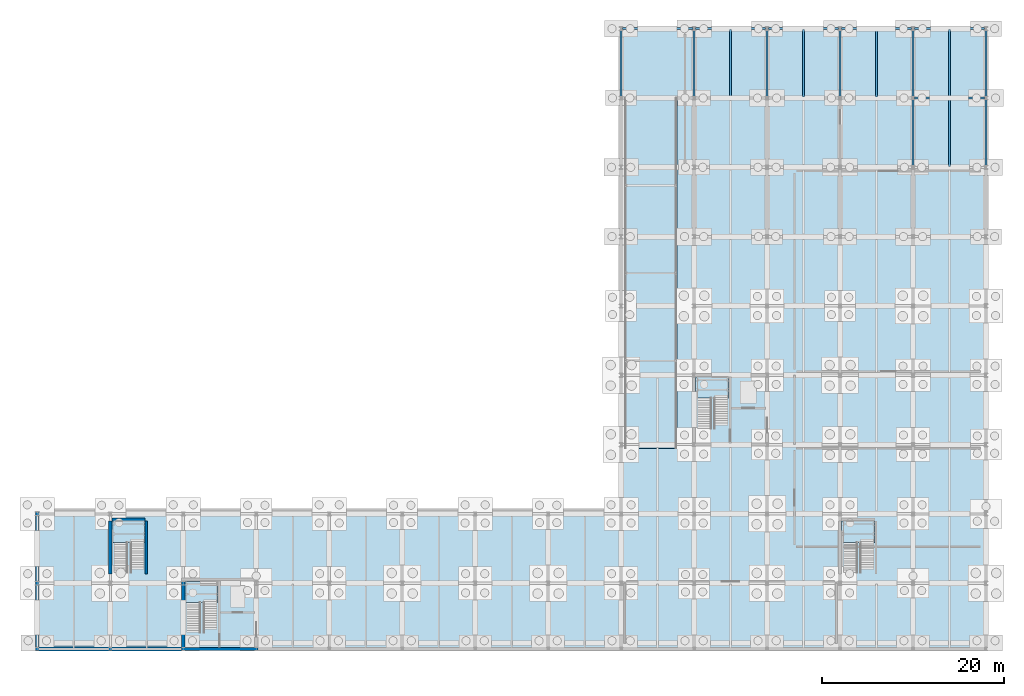
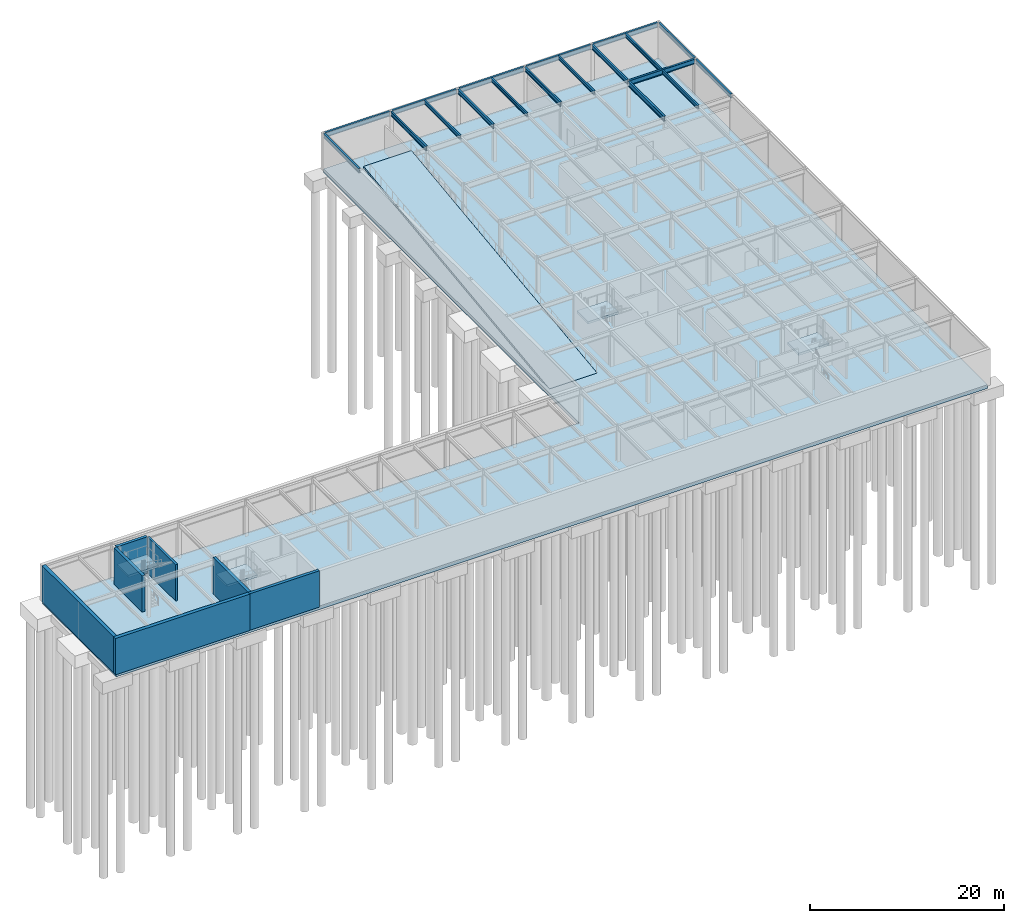
# One storey, part 14 of 21: 19 beams, 7 walls, 6 slabs, 4 elements without a shape of their own.
"""IFC4 building model written with IfcOpenShell, lengths in metres."""

from ifc_helpers import new_model, si_unit, direction, frame, frame_2d, origin, origin_2d, place, context, subcontext, project, spatial, polyline, rectangle, i_section, outline, extrude, material, layer, layer_set, material_profile, profile_set, type_object, element, aggregate, save


model = new_model("IFC4")

# Units and contexts
model_context = context("Model", 3, precision=1e-05, world=origin(), true_north=direction((0.0, 1.0)))
body_context = subcontext(model_context, "Body", "Model", "MODEL_VIEW")
ifc_project = project(units=[si_unit("LENGTHUNIT", "METRE"), si_unit("AREAUNIT", "SQUARE_METRE"), si_unit("VOLUMEUNIT", "CUBIC_METRE"), si_unit("PLANEANGLEUNIT", "RADIAN"), si_unit("MASSUNIT", "GRAM", prefix="KILO")], contexts=[model_context])

# Site, building, storey
site_placement = place(None, origin())
site = spatial("IfcSite", under=ifc_project, at=site_placement, CompositionType="ELEMENT")
building_placement = place(site_placement, origin())
building = spatial("IfcBuilding", under=site, at=building_placement, Name="Zulena Civic Courthouse", CompositionType="ELEMENT")
storey_placement = place(building_placement, frame((0.0, 0.0, -4.800048828125)))
storey = spatial("IfcBuildingStorey", under=building, at=storey_placement, Name="B01", CompositionType="ELEMENT", Elevation=-4.800048828125)

# Beams
ifc_material_1 = material(Name="Steel ASTM A992 Grade 50", Category="steel")
ifc_material_profile_1 = material_profile(ifc_material_1, i_section(OverallWidth=0.22998046875, OverallDepth=0.616943359375, WebThickness=0.01318359375, FlangeThickness=0.022216796875, FilletRadius=0.0126953125, at=origin_2d()), Name="W24X94")
ifc_profile_set_1 = profile_set([ifc_material_profile_1], Name="Steel ASTM A992 Grade 50")
beam_type_1 = type_object("IfcBeamType", Name="Girder_W24X94", PredefinedType="BEAM", material=ifc_profile_set_1)
beam_1_placement = place(storey_placement, frame((100.0, 98.945068359375, 4.271484375), z_axis=(0.0, 1.0, 0.0), x_axis=(-1.0, 0.0, 0.0)))
element("IfcBeam", 1, at=beam_1_placement, inside=storey, type_object=beam_type_1, Name="beam:Y:V5:B01:100.0:98.8_106.4", PredefinedType="BEAM", context=body_context, shape_type="SweptSolid", body=[
    extrude(i_section(OverallWidth=0.22998046875, OverallDepth=0.616943359375, WebThickness=0.01318359375, FlangeThickness=0.022216796875, FilletRadius=0.0126953125, at=origin_2d()), origin(), (0.0, 0.0, 1.0), 7.309814453125),
])
ifc_material_profile_2 = material_profile(ifc_material_1, i_section(OverallWidth=0.19091796875, OverallDepth=0.4599609375, WebThickness=0.010009765625, FlangeThickness=0.01611328125, FilletRadius=0.01025390625, at=origin_2d()), Name="W18X55")
ifc_profile_set_2 = profile_set([ifc_material_profile_2], Name="Steel ASTM A992 Grade 50")
beam_type_2 = type_object("IfcBeamType", Name="Joist_W18X55", PredefinedType="JOIST", material=ifc_profile_set_2)
for number, where, z_axis, x_axis, name in (
    (2, (80.0, 106.5048828125, 4.35009765625), (0.0, 1.0, 0.0), (-1.0, 0.0, 0.0), "joist:V5:B01:80.00:106.4_114.0"),
    (3, (88.0, 106.5048828125, 4.35009765625), (0.0, 1.0, 0.0), (-1.0, 0.0, 0.0), "joist:V5:B01:88.00:106.4_114.0"),
    (4, (96.0, 106.5048828125, 4.35009765625), (0.0, 1.0, 0.0), (-1.0, 0.0, 0.0), "joist:V5:B01:96.00:106.4_114.0"),
):
    element("IfcBeam", number, at=place(storey_placement, frame(where, z_axis=z_axis, x_axis=x_axis)), inside=storey, type_object=beam_type_2, Name=name, PredefinedType="JOIST", context=body_context, shape_type="SweptSolid", body=[
        extrude(i_section(OverallWidth=0.19091796875, OverallDepth=0.4599609375, WebThickness=0.010009765625, FlangeThickness=0.01611328125, FilletRadius=0.01025390625, at=origin_2d()), origin(), (0.0, 0.0, 1.0), 7.39013671875),
    ])
beam_2_placement = place(storey_placement, frame((104.0, 98.905029296875, 4.35009765625), z_axis=(0.0, 1.0, 0.0), x_axis=(-1.0, 0.0, 0.0)))
element("IfcBeam", 5, at=beam_2_placement, inside=storey, type_object=beam_type_2, Name="joist:V5:B01:104.00:98.8_106.4", PredefinedType="JOIST", context=body_context, shape_type="SweptSolid", body=[
    extrude(i_section(OverallWidth=0.19091796875, OverallDepth=0.4599609375, WebThickness=0.010009765625, FlangeThickness=0.01611328125, FilletRadius=0.01025390625, at=origin_2d()), origin(), (0.0, 0.0, 1.0), 7.389892578125),
])
beam_3_placement = place(storey_placement, frame((104.0, 106.5048828125, 4.35009765625), z_axis=(0.0, 1.0, 0.0), x_axis=(-1.0, 0.0, 0.0)))
element("IfcBeam", 6, at=beam_3_placement, inside=storey, type_object=beam_type_2, Name="joist:V5:B01:104.00:106.4_114.0", PredefinedType="JOIST", context=body_context, shape_type="SweptSolid", body=[
    extrude(i_section(OverallWidth=0.19091796875, OverallDepth=0.4599609375, WebThickness=0.010009765625, FlangeThickness=0.01611328125, FilletRadius=0.01025390625, at=origin_2d()), origin(), (0.0, 0.0, 1.0), 7.39013671875),
])
ifc_material_profile_3 = material_profile(ifc_material_1, i_section(OverallWidth=0.2099609375, OverallDepth=0.537109375, WebThickness=0.010986328125, FlangeThickness=0.017333984375, FilletRadius=0.0126953125, at=origin_2d()), Name="W21X68")
ifc_profile_set_3 = profile_set([ifc_material_profile_3], Name="Steel ASTM A992 Grade 50")
beam_type_3 = type_object("IfcBeamType", Name="Spandrel_W21X68", PredefinedType="SPANDREL", material=ifc_profile_set_3)
for number, where, z_axis, x_axis, name in (
    (7, (68.0, 106.544921875, 4.3115234375), (0.0, 1.0, 0.0), (-1.0, 0.0, 0.0), "beam:Y:V5:B01:68.0:106.4_114.0"),
    (8, (76.0, 106.544921875, 4.3115234375), (0.0, 1.0, 0.0), (-1.0, 0.0, 0.0), "beam:Y:V5:B01:76.0:106.4_114.0"),
    (9, (84.0, 106.544921875, 4.3115234375), (0.0, 1.0, 0.0), (-1.0, 0.0, 0.0), "beam:Y:V5:B01:84.0:106.4_114.0"),
    (10, (92.0, 106.544921875, 4.3115234375), (0.0, 1.0, 0.0), (-1.0, 0.0, 0.0), "beam:Y:V5:B01:92.0:106.4_114.0"),
    (11, (100.0, 106.544921875, 4.3115234375), (0.0, 1.0, 0.0), (-1.0, 0.0, 0.0), "beam:Y:V5:B01:100.0:106.4_114.0"),
):
    element("IfcBeam", number, at=place(storey_placement, frame(where, z_axis=z_axis, x_axis=x_axis)), inside=storey, type_object=beam_type_3, Name=name, PredefinedType="SPANDREL", context=body_context, shape_type="SweptSolid", body=[
        extrude(i_section(OverallWidth=0.2099609375, OverallDepth=0.537109375, WebThickness=0.010986328125, FlangeThickness=0.017333984375, FilletRadius=0.0126953125, at=origin_2d()), origin(), (0.0, 0.0, 1.0), 7.31005859375),
    ])
beam_4_placement = place(storey_placement, frame((108.0, 98.945068359375, 4.3115234375), z_axis=(0.0, 1.0, 0.0), x_axis=(-1.0, 0.0, 0.0)))
element("IfcBeam", 12, at=beam_4_placement, inside=storey, type_object=beam_type_3, Name="beam:Y:V5:B01:108.0:98.8_106.4", PredefinedType="SPANDREL", context=body_context, shape_type="SweptSolid", body=[
    extrude(i_section(OverallWidth=0.2099609375, OverallDepth=0.537109375, WebThickness=0.010986328125, FlangeThickness=0.017333984375, FilletRadius=0.0126953125, at=origin_2d()), origin(), (0.0, 0.0, 1.0), 7.309814453125),
])
beam_5_placement = place(storey_placement, frame((108.0, 106.544921875, 4.3115234375), z_axis=(0.0, 1.0, 0.0), x_axis=(-1.0, 0.0, 0.0)))
element("IfcBeam", 13, at=beam_5_placement, inside=storey, type_object=beam_type_3, Name="beam:Y:V5:B01:108.0:106.4_114.0", PredefinedType="SPANDREL", context=body_context, shape_type="SweptSolid", body=[
    extrude(i_section(OverallWidth=0.2099609375, OverallDepth=0.537109375, WebThickness=0.010986328125, FlangeThickness=0.017333984375, FilletRadius=0.0126953125, at=origin_2d()), origin(), (0.0, 0.0, 1.0), 7.31005859375),
])
ifc_material_profile_4 = material_profile(ifc_material_1, i_section(OverallWidth=0.22998046875, OverallDepth=0.616943359375, WebThickness=0.01318359375, FlangeThickness=0.022216796875, FilletRadius=0.0126953125, at=origin_2d()), Name="W24X94")
ifc_profile_set_4 = profile_set([ifc_material_profile_4], Name="Steel ASTM A992 Grade 50")
beam_type_4 = type_object("IfcBeamType", Name="Spandrel_W24X94", PredefinedType="SPANDREL", material=ifc_profile_set_4)
for number, where, z_axis, x_axis, name in (
    (14, (100.14501953125, 106.39990234375, 4.271484375), (1.0, 0.0, 0.0), (0.0, 1.0, 0.0), "beam:X:V5:B01:106.4:100.0_108.0"),
    (15, (68.14501953125, 114.0, 4.271484375), (1.0, 0.0, 0.0), (0.0, 1.0, 0.0), "beam:X:V5:B01:114.0:68.0_76.0"),
    (16, (76.14501953125, 114.0, 4.271484375), (1.0, 0.0, 0.0), (0.0, 1.0, 0.0), "beam:X:V5:B01:114.0:76.0_84.0"),
    (17, (84.14501953125, 114.0, 4.271484375), (1.0, 0.0, 0.0), (0.0, 1.0, 0.0), "beam:X:V5:B01:114.0:84.0_92.0"),
    (18, (92.14501953125, 114.0, 4.271484375), (1.0, 0.0, 0.0), (0.0, 1.0, 0.0), "beam:X:V5:B01:114.0:92.0_100.0"),
    (19, (100.14501953125, 114.0, 4.271484375), (1.0, 0.0, 0.0), (0.0, 1.0, 0.0), "beam:X:V5:B01:114.0:100.0_108.0"),
):
    element("IfcBeam", number, at=place(storey_placement, frame(where, z_axis=z_axis, x_axis=x_axis)), inside=storey, type_object=beam_type_4, Name=name, PredefinedType="SPANDREL", context=body_context, shape_type="SweptSolid", body=[
        extrude(i_section(OverallWidth=0.22998046875, OverallDepth=0.616943359375, WebThickness=0.01318359375, FlangeThickness=0.022216796875, FilletRadius=0.0126953125, at=origin_2d()), origin(), (0.0, 0.0, 1.0), 7.7099609375),
    ])

# Slab
ifc_material_2 = material(Name="Concrete C35/45", Category="concrete")
ifc_layer_1 = layer(ifc_material_2, 0.449951171875)
ifc_layer_set_1 = layer_set([ifc_layer_1], Name="Concrete C35/45")
slab_type_1 = type_object("IfcSlabType", Name="MatSlab_450", PredefinedType="BASESLAB", material=ifc_layer_set_1)
slab_1_placement = place(storey_placement, frame((0.0, 0.0, -0.449951171875)))
element("IfcSlab", 20, at=slab_1_placement, inside=storey, type_object=slab_type_1, Name="slab:V5:B01", PredefinedType="BASESLAB", context=body_context, shape_type="SweptSolid", body=[
    extrude(outline(polyline([(4.0, 46.0), (108.0, 46.0), (108.0, 114.0), (68.0, 114.0), (68.0, 61.199951171875), (4.0, 61.199951171875), (4.0, 46.0)])), origin(), (0.0, 0.0, 1.0), 0.449951171875),
])

# Stair, slab
ifc_material_3 = material(Name="Precast concrete C40/50", Category="concrete")
stair_type = type_object("IfcStairType", Name="HalfTurnStair_4800", PredefinedType="HALF_TURN_STAIR", material=ifc_material_3)
stair_1_placement = place(storey_placement, origin())
stair_1 = element("IfcStair", 21, at=stair_1_placement, inside=storey, type_object=stair_type, Name="stair:K5A:B01", PredefinedType="HALF_TURN_STAIR")
ifc_layer_2 = layer(ifc_material_3, 0.280029296875)
ifc_layer_set_2 = layer_set([ifc_layer_2], Name="Precast concrete C40/50")
slab_type_2 = type_object("IfcSlabType", Name="StairLandingSlab_280", PredefinedType="LANDING", material=ifc_layer_set_2)
slab_2_placement = place(storey_placement, frame((0.0, 0.0, 2.1201171875)))
slab_2 = element("IfcSlab", 22, at=slab_2_placement, type_object=slab_type_2, Name="stair:K5A:B01:LND", PredefinedType="LANDING", context=body_context, shape_type="SweptSolid", body=[
    extrude(outline(polyline([(20.179931640625, 51.094482421875), (23.820068359375, 51.094482421875), (23.820068359375, 53.419921875), (20.179931640625, 53.419921875), (20.179931640625, 51.094482421875)])), origin(), (0.0, 0.0, 1.0), 0.280029296875),
])
aggregate(stair_1, [slab_2])

stair_2_placement = place(storey_placement, origin())
stair_2 = element("IfcStair", 23, at=stair_2_placement, inside=storey, type_object=stair_type, Name="stair:K5B:B01", PredefinedType="HALF_TURN_STAIR")
slab_3_placement = place(storey_placement, frame((0.0, 0.0, 2.1201171875)))
slab_3 = element("IfcSlab", 24, at=slab_3_placement, type_object=slab_type_2, Name="stair:K5B:B01:LND", PredefinedType="LANDING", context=body_context, shape_type="SweptSolid", body=[
    extrude(outline(polyline([(76.179931640625, 73.49462890625), (79.820068359375, 73.49462890625), (79.820068359375, 75.820068359375), (76.179931640625, 75.820068359375), (76.179931640625, 73.49462890625)])), origin(), (0.0, 0.0, 1.0), 0.280029296875),
])
aggregate(stair_2, [slab_3])

stair_3_placement = place(storey_placement, origin())
stair_3 = element("IfcStair", 25, at=stair_3_placement, inside=storey, type_object=stair_type, Name="stair:STB1:B01", PredefinedType="HALF_TURN_STAIR")
slab_4_placement = place(storey_placement, frame((0.0, 0.0, 2.1201171875)))
slab_4 = element("IfcSlab", 26, at=slab_4_placement, type_object=slab_type_2, Name="stair:STB1:B01:LND", PredefinedType="LANDING", context=body_context, shape_type="SweptSolid", body=[
    extrude(outline(polyline([(12.179931640625, 57.694580078125), (15.820068359375, 57.694580078125), (15.820068359375, 60.02001953125), (12.179931640625, 60.02001953125), (12.179931640625, 57.694580078125)])), origin(), (0.0, 0.0, 1.0), 0.280029296875),
])
aggregate(stair_3, [slab_4])

stair_4_placement = place(storey_placement, origin())
stair_4 = element("IfcStair", 27, at=stair_4_placement, inside=storey, type_object=stair_type, Name="stair:STB2:B01", PredefinedType="HALF_TURN_STAIR")
slab_5_placement = place(storey_placement, frame((0.0, 0.0, 2.1201171875)))
slab_5 = element("IfcSlab", 28, at=slab_5_placement, type_object=slab_type_2, Name="stair:STB2:B01:LND", PredefinedType="LANDING", context=body_context, shape_type="SweptSolid", body=[
    extrude(outline(polyline([(92.179931640625, 57.694580078125), (95.820068359375, 57.694580078125), (95.820068359375, 60.02001953125), (92.179931640625, 60.02001953125), (92.179931640625, 57.694580078125)])), origin(), (0.0, 0.0, 1.0), 0.280029296875),
])
aggregate(stair_4, [slab_5])

# Slab
ifc_layer_3 = layer(ifc_material_2, 0.25)
ifc_layer_set_3 = layer_set([ifc_layer_3], Name="Concrete C35/45")
slab_type_3 = type_object("IfcSlabType", Name="VehicleRampSlab_250", PredefinedType="FLOOR", material=ifc_layer_set_3)
slab_6_placement = place(storey_placement, frame((68.39990234375, 68.0, 0.0), z_axis=(0.0, -0.124036287512, 0.992277682597), x_axis=(1.0, 0.0, 0.0)))
element("IfcSlab", 29, at=slab_6_placement, inside=storey, type_object=slab_type_3, Name="slab:veh_ramp:B01", PredefinedType="FLOOR", context=body_context, shape_type="SweptSolid", body=[
    extrude(outline(polyline([(0.0, 0.0), (5.7001953125, 0.0), (5.7001953125, 38.69874634612756), (0.0, 38.69874634612756), (0.0, 0.0)])), origin(), (0.0, 0.0, -1.0), 0.25),
])

# Walls
ifc_material_4 = material(Name="Concrete C40/50", Category="concrete")
ifc_layer_4 = layer(ifc_material_4, 0.25)
ifc_layer_set_4 = layer_set([ifc_layer_4], Name="Concrete C40/50")
wall_type_1 = type_object("IfcWallType", Name="CoreShearWall_RC250", PredefinedType="SHEAR", material=ifc_layer_set_4)
wall_1_placement = place(storey_placement, frame((15.949951171875, 54.199951171875, 0.0), z_axis=(0.0, 0.0, 1.0), x_axis=(0.0, 1.0, 0.0)))
element("IfcWall", 30, at=wall_1_placement, inside=storey, type_object=wall_type_1, Name="cwall:STB1:B01:E", PredefinedType="SHEAR", context=body_context, shape_type="SweptSolid", body=[
    extrude(rectangle(XDim=5.820068359375, YDim=0.25, at=frame_2d((2.91015625, 0.0))), origin(), (0.0, 0.0, 1.0), 4.580078125),
])
ifc_layer_5 = layer(ifc_material_4, 0.35009765625)
ifc_layer_set_5 = layer_set([ifc_layer_5], Name="Concrete C40/50")
wall_type_2 = type_object("IfcWallType", Name="CoreShearWall_RC350", PredefinedType="SHEAR", material=ifc_layer_set_5)
wall_2_placement = place(storey_placement, frame((19.824951171875, 46.0, 0.0), z_axis=(0.0, 0.0, 1.0), x_axis=(1.0, 0.0, 0.0)))
element("IfcWall", 31, at=wall_2_placement, inside=storey, type_object=wall_type_2, Name="cwall:K5A:B01:S", PredefinedType="SHEAR", context=body_context, shape_type="SweptSolid", body=[
    extrude(rectangle(XDim=8.35009765625, YDim=0.35009765625, at=frame_2d((4.175048828125, 0.0))), origin(), (0.0, 0.0, 1.0), 4.590087890625),
])
wall_3_placement = place(storey_placement, frame((20.0, 46.175048828125, 0.0), z_axis=(0.0, 0.0, 1.0), x_axis=(0.0, 1.0, 0.0)))
element("IfcWall", 32, at=wall_3_placement, inside=storey, type_object=wall_type_2, Name="cwall:K5A:B01:W", PredefinedType="SHEAR", context=body_context, shape_type="SweptSolid", body=[
    extrude(rectangle(XDim=7.25, YDim=0.35009765625, at=frame_2d((3.625, 0.0))), origin(), (0.0, 0.0, 1.0), 4.590087890625),
])
wall_4_placement = place(storey_placement, frame((12.0, 54.199951171875, 0.0), z_axis=(0.0, 0.0, 1.0), x_axis=(0.0, 1.0, 0.0)))
element("IfcWall", 33, at=wall_4_placement, inside=storey, type_object=wall_type_2, Name="cwall:STB1:B01:W", PredefinedType="SHEAR", context=body_context, shape_type="SweptSolid", body=[
    extrude(rectangle(XDim=5.820068359375, YDim=0.35009765625, at=frame_2d((2.91015625, 0.0))), origin(), (0.0, 0.0, 1.0), 4.580078125),
])
wall_5_placement = place(storey_placement, frame((12.179931640625, 60.199951171875, 0.0), z_axis=(0.0, 0.0, 1.0), x_axis=(1.0, 0.0, 0.0)))
element("IfcWall", 34, at=wall_5_placement, inside=storey, type_object=wall_type_2, Name="cwall:STB1:B01:N", PredefinedType="SHEAR", context=body_context, shape_type="SweptSolid", body=[
    extrude(rectangle(XDim=3.64013671875, YDim=0.35009765625, at=frame_2d((1.820068359375, 0.0))), origin(), (0.0, 0.0, 1.0), 4.580078125),
])
ifc_layer_6 = layer(ifc_material_4, 0.409912109375)
ifc_layer_set_6 = layer_set([ifc_layer_6], Name="Concrete C40/50")
wall_type_3 = type_object("IfcWallType", Name="RetainingWall_RC410", PredefinedType="USERDEFINED", material=ifc_layer_set_6)
wall_6_placement = place(storey_placement, frame((3.794921875, 46.0, 0.0), z_axis=(0.0, 0.0, 1.0), x_axis=(1.0, 0.0, 0.0)))
element("IfcWall", 35, at=wall_6_placement, inside=storey, type_object=wall_type_3, Name="rwall:B01:0:0", ObjectType="RETAININGWALL", PredefinedType="USERDEFINED", context=body_context, shape_type="SweptSolid", body=[
    extrude(rectangle(XDim=16.025146484375, YDim=0.409912109375, at=frame_2d((8.0126953125, 0.0))), origin(), (0.0, 0.0, 1.0), 4.580078125),
])
wall_7_placement = place(storey_placement, frame((4.0, 60.9951171875, 0.0), z_axis=(0.0, 0.0, 1.0), x_axis=(0.0, -1.0, 0.0)))
element("IfcWall", 36, at=wall_7_placement, inside=storey, type_object=wall_type_3, Name="rwall:B01:5:0", ObjectType="RETAININGWALL", PredefinedType="USERDEFINED", context=body_context, shape_type="SweptSolid", body=[
    extrude(rectangle(XDim=14.7900390625, YDim=0.409912109375, at=frame_2d((7.39501953125, 0.0))), origin(), (0.0, 0.0, 1.0), 4.580078125),
])

save(model, "model.ifc")
